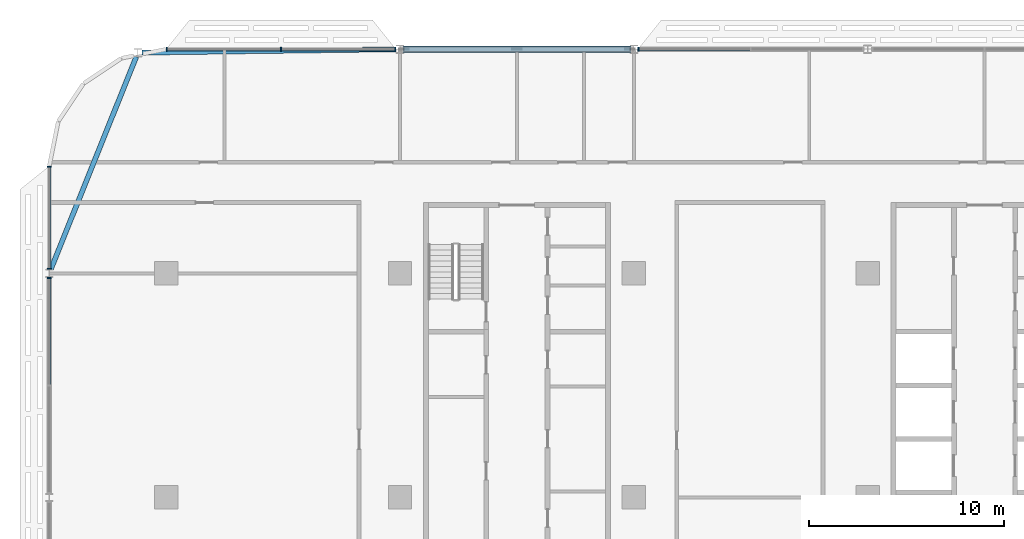
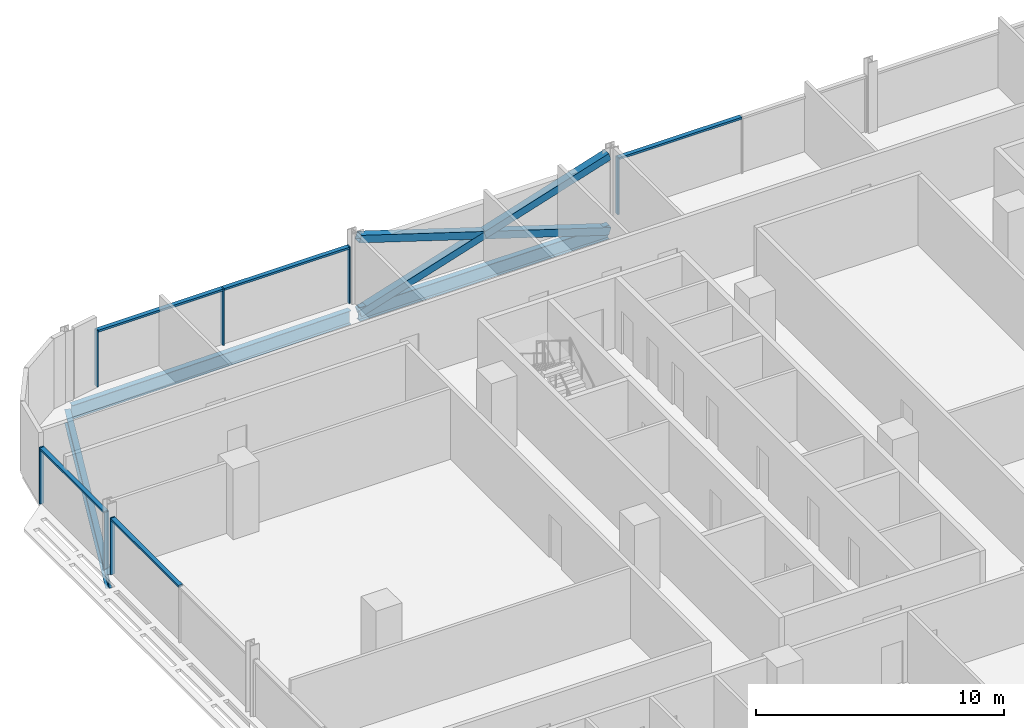
# One storey, part 6 of 27: 15 members, 3 beams, 4 elements without a shape of their own.
"""IFC4 building model written with IfcOpenShell, lengths in metres."""

from ifc_helpers import new_model, si_unit, direction, frame, origin, origin_2d, place, context, subcontext, project, spatial, rectangle, hollow_rectangle, i_section, extrude, material, material_profile, profile_set, type_object, element, aggregate, save


model = new_model("IFC4")

# Units and contexts
model_context = context("Model", 3, precision=1e-05, world=origin(), true_north=direction((0.0, 1.0)))
body_context = subcontext(model_context, "Body", "Model", "MODEL_VIEW")
ifc_project = project(units=[si_unit("LENGTHUNIT", "METRE"), si_unit("AREAUNIT", "SQUARE_METRE"), si_unit("VOLUMEUNIT", "CUBIC_METRE"), si_unit("PLANEANGLEUNIT", "RADIAN"), si_unit("MASSUNIT", "GRAM", prefix="KILO")], contexts=[model_context])

# Site, building, storey
site_placement = place(None, origin())
site = spatial("IfcSite", under=ifc_project, at=site_placement, CompositionType="ELEMENT")
building_placement = place(site_placement, origin())
building = spatial("IfcBuilding", under=site, at=building_placement, Name="Mahtab Terrace Research Tower", CompositionType="ELEMENT")
storey_placement = place(building_placement, frame((0.0, 0.0, 182.0)))
storey = spatial("IfcBuildingStorey", under=building, at=storey_placement, Name="L43", CompositionType="ELEMENT", Elevation=182.0)

# Members
ifc_material_1 = material(Name="Steel ASTM A500 Gr C", Category="steel")
ifc_material_profile_1 = material_profile(ifc_material_1, hollow_rectangle(XDim=0.355712890625, YDim=0.355712890625, WallThickness=0.015869140625, at=origin_2d()), Name="HSS14X14X5/8")
ifc_profile_set_1 = profile_set([ifc_material_profile_1], Name="Steel ASTM A500 Gr C")
member_type_1 = type_object("IfcMemberType", Name="HSS 14x14x5/8 brace XB141458", PredefinedType="BRACE", material=ifc_profile_set_1)
member_1_placement = place(storey_placement, frame((-18.203125, 23.0, -0.61474609375), z_axis=(-0.953341454971, 0.0, 0.301894137463), x_axis=(0.0, -1.0, 0.0)))
element("IfcMember", 1, at=member_1_placement, inside=storey, type_object=member_type_1, Name="Exoskeleton brace L43 06 a", PredefinedType="BRACE", context=body_context, shape_type="SweptSolid", body=[
    extrude(hollow_rectangle(XDim=0.355712890625, YDim=0.355712890625, WallThickness=0.015869140625, at=origin_2d()), origin(), (0.0, 0.0, 1.0), 12.1611328125),
])
for number, where, z_axis, x_axis, name in (
    (2, (-29.796875, 23.0, -0.61474609375), (0.953341454971, 0.0, 0.301894137463), (0.0, 1.0, 0.0), "Exoskeleton brace L43 06 b1"),
    (3, (-24.0, 23.0, 1.220947265625), (0.953341454971, 0.0, 0.301894137463), (0.0, 1.0, 0.0), "Exoskeleton brace L43 06 b2"),
):
    element("IfcMember", number, at=place(storey_placement, frame(where, z_axis=z_axis, x_axis=x_axis)), inside=storey, type_object=member_type_1, Name=name, PredefinedType="BRACE", context=body_context, shape_type="SweptSolid", body=[
        extrude(hollow_rectangle(XDim=0.355712890625, YDim=0.355712890625, WallThickness=0.015869140625, at=origin_2d()), origin(), (0.0, 0.0, 1.0), 6.08056640625),
    ])

# Curtain wall, member
ifc_material_2 = material(Name="Laboratory ribbon curtain wall")
curtain_wall_type = type_object("IfcCurtainWallType", Name="Laboratory ribbon curtain wall", PredefinedType="NOTDEFINED", material=ifc_material_2)
curtain_wall_1_placement = place(storey_placement, origin())
curtain_wall_1 = element("IfcCurtainWall", 4, at=curtain_wall_1_placement, inside=storey, type_object=curtain_wall_type, Name="EN.L43.3.7", PredefinedType="NOTDEFINED")
ifc_material_3 = material(Name="Natural anodised aluminium", Category="aluminium")
ifc_material_profile_2 = material_profile(ifc_material_3, rectangle(XDim=0.199951171875, YDim=0.06494140625, at=origin_2d()), Name="MULLION 65x200")
ifc_profile_set_2 = profile_set([ifc_material_profile_2], Name="Natural anodised aluminium")
member_type_2 = type_object("IfcMemberType", Name="Laboratory ribbon curtain wall mullion", PredefinedType="MULLION", material=ifc_profile_set_2)
member_2_placement = place(storey_placement, frame((-17.759521484375, 23.0, 0.0), z_axis=(0.0, 0.0, 1.0), x_axis=(0.0, -1.0, 0.0)))
member_2 = element("IfcMember", 5, at=member_2_placement, type_object=member_type_2, Name="CWL-5 mullion 3", PredefinedType="MULLION", context=body_context, shape_type="SweptSolid", body=[
    extrude(rectangle(XDim=0.199951171875, YDim=0.06494140625, at=origin_2d()), origin(), (0.0, 0.0, 1.0), 2.78173828125),
])

# Curtain wall, members
curtain_wall_2_placement = place(storey_placement, origin())
curtain_wall_2 = element("IfcCurtainWall", 6, at=curtain_wall_2_placement, inside=storey, type_object=curtain_wall_type, Name="EN.L43.3.9", PredefinedType="NOTDEFINED")
member_3_placement = place(storey_placement, frame((-30.240478515625, 23.0, 0.0), z_axis=(0.0, 0.0, 1.0), x_axis=(0.0, -1.0, 0.0)))
member_3 = element("IfcMember", 7, at=member_3_placement, type_object=member_type_2, Name="CWL-5 mullion 1", PredefinedType="MULLION", context=body_context, shape_type="SweptSolid", body=[
    extrude(rectangle(XDim=0.199951171875, YDim=0.06494140625, at=origin_2d()), origin(), (0.0, 0.0, 1.0), 2.78173828125),
])
member_4_placement = place(storey_placement, frame((-36.10400390625, 23.0, 0.0), z_axis=(0.0, 0.0, 1.0), x_axis=(0.0, -1.0, 0.0)))
member_4 = element("IfcMember", 8, at=member_4_placement, type_object=member_type_2, Name="CWL-5 mullion 2", PredefinedType="MULLION", context=body_context, shape_type="SweptSolid", body=[
    extrude(rectangle(XDim=0.199951171875, YDim=0.06494140625, at=origin_2d()), origin(), (0.0, 0.0, 1.0), 2.78173828125),
])
member_5_placement = place(storey_placement, frame((-41.967529296875, 23.0, 0.0), z_axis=(0.0, 0.0, 1.0), x_axis=(0.0, -1.0, 0.0)))
member_5 = element("IfcMember", 9, at=member_5_placement, type_object=member_type_2, Name="CWL-5 mullion 3", PredefinedType="MULLION", context=body_context, shape_type="SweptSolid", body=[
    extrude(rectangle(XDim=0.199951171875, YDim=0.06494140625, at=origin_2d()), origin(), (0.0, 0.0, 1.0), 2.78173828125),
])

curtain_wall_3_placement = place(storey_placement, origin())
curtain_wall_3 = element("IfcCurtainWall", 10, at=curtain_wall_3_placement, inside=storey, type_object=curtain_wall_type, Name="EN.L43.8.15", PredefinedType="NOTDEFINED")
member_6_placement = place(storey_placement, frame((-48.0, 16.967529296875, 0.0), z_axis=(0.0, 0.0, 1.0), x_axis=(1.0, 0.0, 0.0)))
member_6 = element("IfcMember", 11, at=member_6_placement, type_object=member_type_2, Name="CWL-5 mullion 1", PredefinedType="MULLION", context=body_context, shape_type="SweptSolid", body=[
    extrude(rectangle(XDim=0.199951171875, YDim=0.06494140625, at=origin_2d()), origin(), (0.0, 0.0, 1.0), 2.78173828125),
])
member_7_placement = place(storey_placement, frame((-48.0, 11.740478515625, 0.0), z_axis=(0.0, 0.0, 1.0), x_axis=(1.0, 0.0, 0.0)))
member_7 = element("IfcMember", 12, at=member_7_placement, type_object=member_type_2, Name="CWL-5 mullion 2", PredefinedType="MULLION", context=body_context, shape_type="SweptSolid", body=[
    extrude(rectangle(XDim=0.199951171875, YDim=0.06494140625, at=origin_2d()), origin(), (0.0, 0.0, 1.0), 2.78173828125),
])

# Curtain wall, member
curtain_wall_4_placement = place(storey_placement, origin())
curtain_wall_4 = element("IfcCurtainWall", 13, at=curtain_wall_4_placement, inside=storey, type_object=curtain_wall_type, Name="EN.L43.8.16", PredefinedType="NOTDEFINED")
member_8_placement = place(storey_placement, frame((-48.0, 11.259521484375, 0.0), z_axis=(0.0, 0.0, 1.0), x_axis=(1.0, 0.0, 0.0)))
member_8 = element("IfcMember", 14, at=member_8_placement, type_object=member_type_2, Name="CWL-5 mullion 1", PredefinedType="MULLION", context=body_context, shape_type="SweptSolid", body=[
    extrude(rectangle(XDim=0.199951171875, YDim=0.06494140625, at=origin_2d()), origin(), (0.0, 0.0, 1.0), 2.78173828125),
])

# Member
ifc_material_profile_3 = material_profile(ifc_material_3, rectangle(XDim=0.199951171875, YDim=0.10009765625, at=origin_2d()), Name="TRANSOM 100x200")
ifc_profile_set_3 = profile_set([ifc_material_profile_3], Name="Natural anodised aluminium")
member_type_3 = type_object("IfcMemberType", Name="Laboratory ribbon curtain wall transom", PredefinedType="USERDEFINED", material=ifc_profile_set_3)
member_9_placement = place(storey_placement, frame((-12.032470703125, 23.0, 2.731689453125), z_axis=(-1.0, 0.0, 0.0), x_axis=(0.0, -1.0, 0.0)))
member_9 = element("IfcMember", 15, at=member_9_placement, type_object=member_type_3, Name="CWL-5 transom 2", ObjectType="TRANSOM", PredefinedType="USERDEFINED", context=body_context, shape_type="SweptSolid", body=[
    extrude(rectangle(XDim=0.199951171875, YDim=0.10009765625, at=origin_2d()), origin(), (0.0, 0.0, 1.0), 5.694580078125),
])

aggregate(curtain_wall_1, [member_2, member_9])

member_10_placement = place(storey_placement, frame((-30.27294921875, 23.0, 2.731689453125), z_axis=(-1.0, 0.0, 0.0), x_axis=(0.0, -1.0, 0.0)))
member_10 = element("IfcMember", 16, at=member_10_placement, type_object=member_type_3, Name="CWL-5 transom 1", ObjectType="TRANSOM", PredefinedType="USERDEFINED", context=body_context, shape_type="SweptSolid", body=[
    extrude(rectangle(XDim=0.199951171875, YDim=0.10009765625, at=origin_2d()), origin(), (0.0, 0.0, 1.0), 5.798583984375),
])

member_11_placement = place(storey_placement, frame((-36.136474609375, 23.0, 2.731689453125), z_axis=(-1.0, 0.0, 0.0), x_axis=(0.0, -1.0, 0.0)))
member_11 = element("IfcMember", 17, at=member_11_placement, type_object=member_type_3, Name="CWL-5 transom 2", ObjectType="TRANSOM", PredefinedType="USERDEFINED", context=body_context, shape_type="SweptSolid", body=[
    extrude(rectangle(XDim=0.199951171875, YDim=0.10009765625, at=origin_2d()), origin(), (0.0, 0.0, 1.0), 5.798583984375),
])

aggregate(curtain_wall_2, [member_3, member_4, member_5, member_10, member_11])

member_12_placement = place(storey_placement, frame((-48.0, 16.93505859375, 2.731689453125), z_axis=(0.0, -1.0, 0.0), x_axis=(1.0, 0.0, 0.0)))
member_12 = element("IfcMember", 18, at=member_12_placement, type_object=member_type_3, Name="CWL-5 transom 1", ObjectType="TRANSOM", PredefinedType="USERDEFINED", context=body_context, shape_type="SweptSolid", body=[
    extrude(rectangle(XDim=0.199951171875, YDim=0.10009765625, at=origin_2d()), origin(), (0.0, 0.0, 1.0), 5.162109375),
])

aggregate(curtain_wall_3, [member_6, member_7, member_12])

member_13_placement = place(storey_placement, frame((-48.0, 11.22705078125, 2.731689453125), z_axis=(0.0, -1.0, 0.0), x_axis=(1.0, 0.0, 0.0)))
member_13 = element("IfcMember", 19, at=member_13_placement, type_object=member_type_3, Name="CWL-5 transom 1", ObjectType="TRANSOM", PredefinedType="USERDEFINED", context=body_context, shape_type="SweptSolid", body=[
    extrude(rectangle(XDim=0.199951171875, YDim=0.10009765625, at=origin_2d()), origin(), (0.0, 0.0, 1.0), 5.444580078125),
])

aggregate(curtain_wall_4, [member_8, member_13])

# Beams
ifc_material_4 = material(Name="Steel ASTM A992 Gr 50", Category="steel")
ifc_material_profile_4 = material_profile(ifc_material_4, i_section(OverallWidth=0.25390625, OverallDepth=0.67822265625, WebThickness=0.01171875, FlangeThickness=0.016357421875, at=origin_2d()), Name="W27X84")
ifc_profile_set_4 = profile_set([ifc_material_profile_4], Name="Steel ASTM A992 Gr 50")
beam_type = type_object("IfcBeamType", Name="W27x84 beam BS2784", PredefinedType="BEAM", material=ifc_profile_set_4)
beam_1_placement = place(storey_placement, frame((-18.203125, 23.0, -0.67919921875), z_axis=(-1.0, 0.0, 0.0), x_axis=(0.0, -1.0, 0.0)))
element("IfcBeam", 20, at=beam_1_placement, inside=storey, type_object=beam_type, Name="Spandrel beam L43 06", PredefinedType="BEAM", context=body_context, shape_type="SweptSolid", body=[
    extrude(i_section(OverallWidth=0.25390625, OverallDepth=0.67822265625, WebThickness=0.01171875, FlangeThickness=0.016357421875, at=origin_2d()), origin(), (0.0, 0.0, 1.0), 11.59375),
])
beam_2_placement = place(storey_placement, frame((-30.203125, 22.997314453125, -0.67919921875), z_axis=(-0.999912429007, -0.013233832294, 0.0), x_axis=(0.013233832294, -0.999912429007, 0.0)))
element("IfcBeam", 21, at=beam_2_placement, inside=storey, type_object=beam_type, Name="Spandrel beam L43 07", PredefinedType="BEAM", context=body_context, shape_type="SweptSolid", body=[
    extrude(i_section(OverallWidth=0.25390625, OverallDepth=0.67822265625, WebThickness=0.01171875, FlangeThickness=0.016357421875, at=origin_2d()), origin(), (0.0, 0.0, 1.0), 13.04296875),
])
beam_3_placement = place(storey_placement, frame((-43.53173828125, 22.61376953125, -0.67919921875), z_axis=(-0.373026712357, -0.927820603278, 0.0), x_axis=(0.927820603278, -0.373026712357, 0.0)))
element("IfcBeam", 22, at=beam_3_placement, inside=storey, type_object=beam_type, Name="Spandrel beam L43 08", PredefinedType="BEAM", context=body_context, shape_type="SweptSolid", body=[
    extrude(i_section(OverallWidth=0.25390625, OverallDepth=0.67822265625, WebThickness=0.01171875, FlangeThickness=0.016357421875, at=origin_2d()), origin(), (0.0, 0.0, 1.0), 11.75390625),
])

save(model, "model.ifc")
